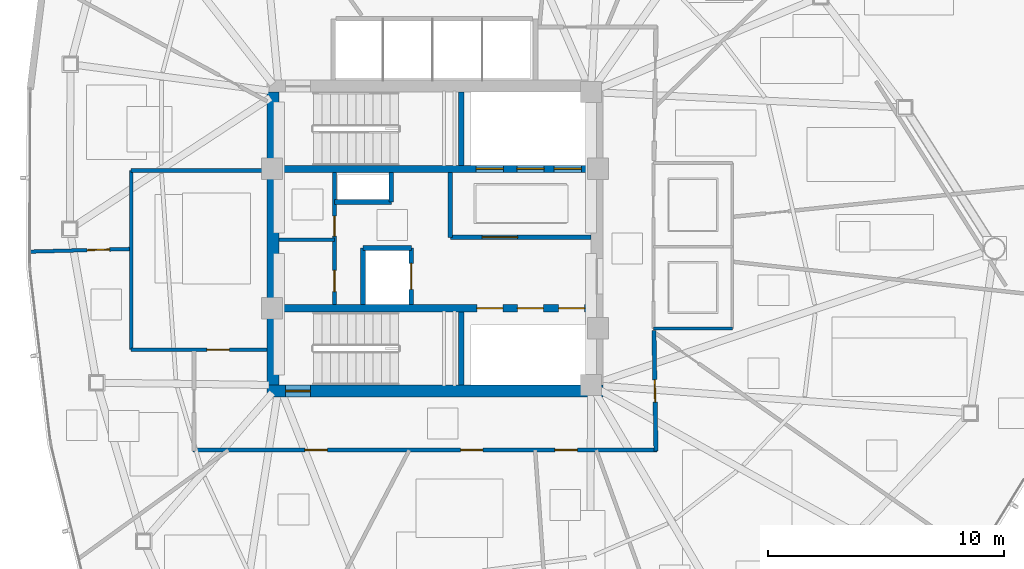
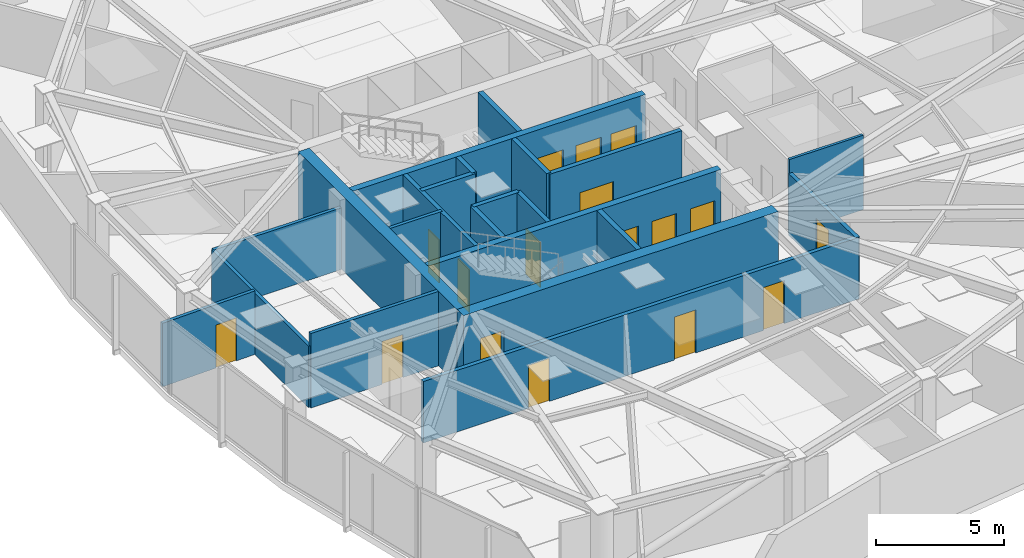
# One storey, part 12 of 18: 22 walls, 17 doors, 17 openings.
"""IFC4 building model written with IfcOpenShell, lengths in metres."""

from ifc_helpers import new_model, si_unit, direction, frame, frame_2d, origin, place, context, subcontext, project, spatial, rectangle, extrude, material, layer, layer_set, type_object, element, fill, save


model = new_model("IFC4")

# Units and contexts
model_context = context("Model", 3, precision=1e-05, world=origin(), true_north=direction((0.0, 1.0)))
body_context = subcontext(model_context, "Body", "Model", "MODEL_VIEW")
ifc_project = project(units=[si_unit("LENGTHUNIT", "METRE"), si_unit("AREAUNIT", "SQUARE_METRE"), si_unit("VOLUMEUNIT", "CUBIC_METRE"), si_unit("PLANEANGLEUNIT", "RADIAN"), si_unit("MASSUNIT", "GRAM", prefix="KILO")], contexts=[model_context])

# Site, building, storey
site_placement = place(None, origin())
site = spatial("IfcSite", under=ifc_project, at=site_placement, CompositionType="ELEMENT")
building_placement = place(site_placement, origin())
building = spatial("IfcBuilding", under=site, at=building_placement, Name="Tavelor Broadcast Tower", CompositionType="ELEMENT")
storey_placement = place(building_placement, frame((0.0, 0.0, 173.35009765625)))
storey = spatial("IfcBuildingStorey", under=building, at=storey_placement, Name="L41", CompositionType="ELEMENT", Elevation=173.35009765625)

# Wall, opening, door
ifc_material_1 = material(Name="Concrete C50/60", Category="concrete")
ifc_layer_1 = layer(ifc_material_1, 0.5)
ifc_layer_set_1 = layer_set([ifc_layer_1], Name="Concrete C50/60")
wall_type_1 = type_object("IfcWallType", Name="Core Shear Wall 500 mm", PredefinedType="SHEAR", material=ifc_layer_set_1)
wall_1_placement = place(storey_placement, frame((42.89990234375, 38.550048828125, 0.0), z_axis=(0.0, 0.0, 1.0), x_axis=(1.0, 0.0, 0.0)))
wall_1 = element("IfcWall", 1, at=wall_1_placement, inside=storey, type_object=wall_type_1, Name="L41 Central Core Shear Wall S", PredefinedType="SHEAR", context=body_context, shape_type="SweptSolid", body=[
    extrude(rectangle(XDim=14.2001953125, YDim=0.5, at=frame_2d((7.10009765625, 0.0))), origin(), (0.0, 0.0, 1.0), 3.5498046875),
])
opening_1_placement = place(wall_1_placement, frame((0.780029296875, 0.0, 0.0)))
opening_1 = element("IfcOpeningElement", 2, at=opening_1_placement, cuts=wall_1, Name="Opening DR11", PredefinedType="OPENING", context=body_context, shape_type="SweptSolid", body=[
    extrude(rectangle(XDim=1.050048828125, YDim=2.199951171875, at=frame_2d((0.52490234375, 1.10009765625))), frame((0.0, 0.260009765625, 0.0), z_axis=(0.0, -1.0, 0.0), x_axis=(1.0, 0.0, 0.0)), (0.0, 0.0, 1.0), 0.52001953125),
])
ifc_material_2 = material(Name="Steel S355", Category="steel")
door_type_1 = type_object("IfcDoorType", Name="Stair Core Fire Escape Door 1050x2200", OperationType="NOTDEFINED", PredefinedType="DOOR", material=ifc_material_2)
door_1_placement = place(opening_1_placement, origin())
door_1 = element("IfcDoor", 3, at=door_1_placement, inside=storey, type_object=door_type_1, Name="L41 Stair ST2 Protected Exit Door", OperationType="SINGLE_SWING_RIGHT", OverallHeight=2.199951171875, OverallWidth=1.050048828125, PredefinedType="DOOR", context=body_context, shape_type="SweptSolid", body=[
    extrude(rectangle(XDim=1.050048828125, YDim=2.199951171875, at=frame_2d((0.52490234375, 1.10009765625))), frame((0.0, 0.02490234375, 0.0), z_axis=(0.0, -1.0, 0.0), x_axis=(1.0, 0.0, 0.0)), (0.0, 0.0, 1.0), 0.050048828125),
])
fill(opening_1, door_1)

# Wall
wall_2_placement = place(storey_placement, frame((43.14990234375, 38.800048828125, 0.0), z_axis=(0.0, 0.0, 1.0), x_axis=(0.0, 1.0, 0.0)))
element("IfcWall", 4, at=wall_2_placement, inside=storey, type_object=wall_type_1, Name="L41 Central Core Shear Wall W", PredefinedType="SHEAR", context=body_context, shape_type="SweptSolid", body=[
    extrude(rectangle(XDim=12.39990234375, YDim=0.5, at=frame_2d((6.199951171875, 0.0))), origin(), (0.0, 0.0, 1.0), 3.5498046875),
])

# Wall, openings, doors
ifc_layer_2 = layer(ifc_material_1, 0.300048828125)
ifc_layer_set_2 = layer_set([ifc_layer_2], Name="Concrete C50/60")
wall_type_2 = type_object("IfcWallType", Name="Core Spine Shear Wall 300 mm C50", PredefinedType="SHEAR", material=ifc_layer_set_2)
wall_3_placement = place(storey_placement, frame((43.39990234375, 47.949951171875, 0.0), z_axis=(0.0, 0.0, 1.0), x_axis=(1.0, 0.0, 0.0)))
wall_3 = element("IfcWall", 5, at=wall_3_placement, inside=storey, type_object=wall_type_2, Name="L41 Central Core Shear Wall SP1", PredefinedType="SHEAR", context=body_context, shape_type="SweptSolid", body=[
    extrude(rectangle(XDim=13.2001953125, YDim=0.300048828125, at=frame_2d((6.60009765625, 0.0))), origin(), (0.0, 0.0, 1.0), 3.5498046875),
])
opening_2_placement = place(wall_3_placement, frame((8.344970703125, 0.0, 0.0)))
opening_2 = element("IfcOpeningElement", 6, at=opening_2_placement, cuts=wall_3, Name="Opening LD02", PredefinedType="OPENING", context=body_context, shape_type="SweptSolid", body=[
    extrude(rectangle(XDim=1.14990234375, YDim=2.199951171875, at=frame_2d((0.574951171875, 1.10009765625))), frame((0.0, 0.16015625, 0.0), z_axis=(0.0, -1.0, 0.0), x_axis=(1.0, 0.0, 0.0)), (0.0, 0.0, 1.0), 0.320068359375),
])
opening_3_placement = place(wall_3_placement, frame((10.06494140625, 0.0, 0.0)))
opening_3 = element("IfcOpeningElement", 7, at=opening_3_placement, cuts=wall_3, Name="Opening LD02", PredefinedType="OPENING", context=body_context, shape_type="SweptSolid", body=[
    extrude(rectangle(XDim=1.14990234375, YDim=2.199951171875, at=frame_2d((0.574951171875, 1.10009765625))), frame((0.0, 0.16015625, 0.0), z_axis=(0.0, -1.0, 0.0), x_axis=(1.0, 0.0, 0.0)), (0.0, 0.0, 1.0), 0.320068359375),
])
opening_4_placement = place(wall_3_placement, frame((11.64501953125, 0.0, 0.0)))
opening_4 = element("IfcOpeningElement", 8, at=opening_4_placement, cuts=wall_3, Name="Opening LD03", PredefinedType="OPENING", context=body_context, shape_type="SweptSolid", body=[
    extrude(rectangle(XDim=1.14990234375, YDim=2.199951171875, at=frame_2d((0.574951171875, 1.10009765625))), frame((0.0, 0.16015625, 0.0), z_axis=(0.0, -1.0, 0.0), x_axis=(1.0, 0.0, 0.0)), (0.0, 0.0, 1.0), 0.320068359375),
])
ifc_material_3 = material(Name="Reinforced Brushed Stainless Steel", Category="concrete")
door_type_2 = type_object("IfcDoorType", Name="Broadcast Goods Lift Sliding Landing Door 1250x2200", OperationType="NOTDEFINED", PredefinedType="DOOR", material=ifc_material_3)
door_2_placement = place(opening_4_placement, origin())
door_2 = element("IfcDoor", 9, at=door_2_placement, inside=storey, type_object=door_type_2, Name="L41 Lift SVL1 Sliding Landing Door", OperationType="SLIDING_TO_LEFT", OverallHeight=2.199951171875, OverallWidth=1.14990234375, PredefinedType="DOOR", context=body_context, shape_type="SweptSolid", body=[
    extrude(rectangle(XDim=1.14990234375, YDim=2.199951171875, at=frame_2d((0.574951171875, 1.10009765625))), frame((0.0, 0.02490234375, 0.0), z_axis=(0.0, -1.0, 0.0), x_axis=(1.0, 0.0, 0.0)), (0.0, 0.0, 1.0), 0.050048828125),
])
fill(opening_4, door_2)
ifc_material_4 = material(Name="Fire-Rated Stainless Steel", Category="steel")
door_type_3 = type_object("IfcDoorType", Name="Firefighting Lift Sliding Landing Door 1200x2200", OperationType="NOTDEFINED", PredefinedType="DOOR", material=ifc_material_4)
door_3_placement = place(opening_2_placement, origin())
door_3 = element("IfcDoor", 10, at=door_3_placement, inside=storey, type_object=door_type_3, Name="L41 Lift FFL1 Sliding Landing Door", OperationType="SLIDING_TO_LEFT", OverallHeight=2.199951171875, OverallWidth=1.14990234375, PredefinedType="DOOR", context=body_context, shape_type="SweptSolid", body=[
    extrude(rectangle(XDim=1.14990234375, YDim=2.199951171875, at=frame_2d((0.574951171875, 1.10009765625))), frame((0.0, 0.02490234375, 0.0), z_axis=(0.0, -1.0, 0.0), x_axis=(1.0, 0.0, 0.0)), (0.0, 0.0, 1.0), 0.050048828125),
])
fill(opening_2, door_3)
door_4_placement = place(opening_3_placement, origin())
door_4 = element("IfcDoor", 11, at=door_4_placement, inside=storey, type_object=door_type_3, Name="L41 Lift FFL2 Sliding Landing Door", OperationType="SLIDING_TO_LEFT", OverallHeight=2.199951171875, OverallWidth=1.14990234375, PredefinedType="DOOR", context=body_context, shape_type="SweptSolid", body=[
    extrude(rectangle(XDim=1.14990234375, YDim=2.199951171875, at=frame_2d((0.574951171875, 1.10009765625))), frame((0.0, 0.02490234375, 0.0), z_axis=(0.0, -1.0, 0.0), x_axis=(1.0, 0.0, 0.0)), (0.0, 0.0, 1.0), 0.050048828125),
])
fill(opening_3, door_4)

wall_4_placement = place(storey_placement, frame((43.39990234375, 42.050048828125, 0.0), z_axis=(0.0, 0.0, 1.0), x_axis=(1.0, 0.0, 0.0)))
wall_4 = element("IfcWall", 12, at=wall_4_placement, inside=storey, type_object=wall_type_2, Name="L41 Central Core Shear Wall SP2", PredefinedType="SHEAR", context=body_context, shape_type="SweptSolid", body=[
    extrude(rectangle(XDim=13.2001953125, YDim=0.300048828125, at=frame_2d((6.60009765625, 0.0))), origin(), (0.0, 0.0, 1.0), 3.5498046875),
])
opening_5_placement = place(wall_4_placement, frame((8.3701171875, 0.0, 0.0)))
opening_5 = element("IfcOpeningElement", 13, at=opening_5_placement, cuts=wall_4, Name="Opening LD01", PredefinedType="OPENING", context=body_context, shape_type="SweptSolid", body=[
    extrude(rectangle(XDim=1.10009765625, YDim=2.14990234375, at=frame_2d((0.550048828125, 1.074951171875))), frame((0.0, 0.16015625, 0.0), z_axis=(0.0, -1.0, 0.0), x_axis=(1.0, 0.0, 0.0)), (0.0, 0.0, 1.0), 0.320068359375),
])
opening_6_placement = place(wall_4_placement, frame((10.090087890625, 0.0, 0.0)))
opening_6 = element("IfcOpeningElement", 14, at=opening_6_placement, cuts=wall_4, Name="Opening LD01", PredefinedType="OPENING", context=body_context, shape_type="SweptSolid", body=[
    extrude(rectangle(XDim=1.10009765625, YDim=2.14990234375, at=frame_2d((0.550048828125, 1.074951171875))), frame((0.0, 0.16015625, 0.0), z_axis=(0.0, -1.0, 0.0), x_axis=(1.0, 0.0, 0.0)), (0.0, 0.0, 1.0), 0.320068359375),
])
opening_7_placement = place(wall_4_placement, frame((11.830078125, 0.0, 0.0)))
opening_7 = element("IfcOpeningElement", 15, at=opening_7_placement, cuts=wall_4, Name="Opening LD01", PredefinedType="OPENING", context=body_context, shape_type="SweptSolid", body=[
    extrude(rectangle(XDim=1.10009765625, YDim=2.14990234375, at=frame_2d((0.550048828125, 1.074951171875))), frame((0.0, 0.16015625, 0.0), z_axis=(0.0, -1.0, 0.0), x_axis=(1.0, 0.0, 0.0)), (0.0, 0.0, 1.0), 0.320068359375),
])
ifc_material_5 = material(Name="Brushed Stainless Steel", Category="steel")
door_type_4 = type_object("IfcDoorType", Name="Passenger Lift Sliding Landing Door 1100x2150", OperationType="NOTDEFINED", PredefinedType="DOOR", material=ifc_material_5)
door_5_placement = place(opening_5_placement, origin())
door_5 = element("IfcDoor", 16, at=door_5_placement, inside=storey, type_object=door_type_4, Name="L41 Lift PLM1 Sliding Landing Door", OperationType="SLIDING_TO_LEFT", OverallHeight=2.14990234375, OverallWidth=1.10009765625, PredefinedType="DOOR", context=body_context, shape_type="SweptSolid", body=[
    extrude(rectangle(XDim=1.10009765625, YDim=2.14990234375, at=frame_2d((0.550048828125, 1.074951171875))), frame((0.0, 0.02490234375, 0.0), z_axis=(0.0, -1.0, 0.0), x_axis=(1.0, 0.0, 0.0)), (0.0, 0.0, 1.0), 0.050048828125),
])
fill(opening_5, door_5)
door_6_placement = place(opening_6_placement, origin())
door_6 = element("IfcDoor", 17, at=door_6_placement, inside=storey, type_object=door_type_4, Name="L41 Lift PLM2 Sliding Landing Door", OperationType="SLIDING_TO_LEFT", OverallHeight=2.14990234375, OverallWidth=1.10009765625, PredefinedType="DOOR", context=body_context, shape_type="SweptSolid", body=[
    extrude(rectangle(XDim=1.10009765625, YDim=2.14990234375, at=frame_2d((0.550048828125, 1.074951171875))), frame((0.0, 0.02490234375, 0.0), z_axis=(0.0, -1.0, 0.0), x_axis=(1.0, 0.0, 0.0)), (0.0, 0.0, 1.0), 0.050048828125),
])
fill(opening_6, door_6)
door_7_placement = place(opening_7_placement, origin())
door_7 = element("IfcDoor", 18, at=door_7_placement, inside=storey, type_object=door_type_4, Name="L41 Lift PLM3 Sliding Landing Door", OperationType="SLIDING_TO_LEFT", OverallHeight=2.14990234375, OverallWidth=1.10009765625, PredefinedType="DOOR", context=body_context, shape_type="SweptSolid", body=[
    extrude(rectangle(XDim=1.10009765625, YDim=2.14990234375, at=frame_2d((0.550048828125, 1.074951171875))), frame((0.0, 0.02490234375, 0.0), z_axis=(0.0, -1.0, 0.0), x_axis=(1.0, 0.0, 0.0)), (0.0, 0.0, 1.0), 0.050048828125),
])
fill(opening_7, door_7)

ifc_material_6 = material(Name="Calcium Silicate Fire Board 180 mm", Category="gypsum")
ifc_layer_3 = layer(ifc_material_6, 0.179931640625)
ifc_layer_set_3 = layer_set([ifc_layer_3], Name="Calcium Silicate Fire Board 180 mm")
wall_type_3 = type_object("IfcWallType", Name="Fire-Rated Corridor Partition Wall 180 mm", PredefinedType="PARTITIONING", material=ifc_layer_set_3)
wall_5_placement = place(storey_placement, frame((45.75, 42.199951171875, 0.0), z_axis=(0.0, 0.0, 1.0), x_axis=(0.0, 1.0, 0.0)))
wall_5 = element("IfcWall", 19, at=wall_5_placement, inside=storey, type_object=wall_type_3, Name="L41 Core West Service East Wall", PredefinedType="PARTITIONING", context=body_context, shape_type="SweptSolid", body=[
    extrude(rectangle(XDim=5.60009765625, YDim=0.179931640625, at=frame_2d((2.800048828125, 0.0))), origin(), (0.0, 0.0, 1.0), 3.5498046875),
])
opening_8_placement = place(wall_5_placement, frame((0.550048828125, 0.0, 0.0)))
opening_8 = element("IfcOpeningElement", 20, at=opening_8_placement, cuts=wall_5, Name="Opening DR32", PredefinedType="OPENING", context=body_context, shape_type="SweptSolid", body=[
    extrude(rectangle(XDim=0.89990234375, YDim=2.050048828125, at=frame_2d((0.449951171875, 1.02490234375))), frame((0.0, 0.10009765625, 0.0), z_axis=(0.0, -1.0, 0.0), x_axis=(1.0, 0.0, 0.0)), (0.0, 0.0, 1.0), 0.199951171875),
])
opening_9_placement = place(wall_5_placement, frame((2.89990234375, 0.0, 0.0)))
opening_9 = element("IfcOpeningElement", 21, at=opening_9_placement, cuts=wall_5, Name="Opening DR36", PredefinedType="OPENING", context=body_context, shape_type="SweptSolid", body=[
    extrude(rectangle(XDim=0.85009765625, YDim=2.050048828125, at=frame_2d((0.425048828125, 1.02490234375))), frame((0.0, 0.10009765625, 0.0), z_axis=(0.0, -1.0, 0.0), x_axis=(1.0, 0.0, 0.0)), (0.0, 0.0, 1.0), 0.199951171875),
])
ifc_material_7 = material(Name="Timber Solid Core Hardwood", Category="wood")
door_type_5 = type_object("IfcDoorType", Name="Accessible Washroom Door 900x2050", OperationType="NOTDEFINED", PredefinedType="DOOR", material=ifc_material_7)
door_8_placement = place(opening_8_placement, origin())
door_8 = element("IfcDoor", 22, at=door_8_placement, inside=storey, type_object=door_type_5, Name="L41 Core Accessible WC Door", OperationType="SINGLE_SWING_LEFT", OverallHeight=2.050048828125, OverallWidth=0.89990234375, PredefinedType="DOOR", context=body_context, shape_type="SweptSolid", body=[
    extrude(rectangle(XDim=0.89990234375, YDim=2.050048828125, at=frame_2d((0.449951171875, 1.02490234375))), frame((0.0, 0.02490234375, 0.0), z_axis=(0.0, -1.0, 0.0), x_axis=(1.0, 0.0, 0.0)), (0.0, 0.0, 1.0), 0.050048828125),
])
fill(opening_8, door_8)
door_type_6 = type_object("IfcDoorType", Name="Service Room Fire Door 850x2050", OperationType="NOTDEFINED", PredefinedType="DOOR", material=ifc_material_2)
door_9_placement = place(opening_9_placement, origin())
door_9 = element("IfcDoor", 23, at=door_9_placement, inside=storey, type_object=door_type_6, Name="L41 Core Cleaner Store Door", OperationType="SINGLE_SWING_RIGHT", OverallHeight=2.050048828125, OverallWidth=0.85009765625, PredefinedType="DOOR", context=body_context, shape_type="SweptSolid", body=[
    extrude(rectangle(XDim=0.85009765625, YDim=2.050048828125, at=frame_2d((0.425048828125, 1.02490234375))), frame((0.0, 0.02490234375, 0.0), z_axis=(0.0, -1.0, 0.0), x_axis=(1.0, 0.0, 0.0)), (0.0, 0.0, 1.0), 0.050048828125),
])
fill(opening_9, door_9)

# Wall, opening, door
wall_6_placement = place(storey_placement, frame((59.265869140625, 41.10009765625, 0.0), z_axis=(0.0, 0.0, 1.0), x_axis=(0.016656377357, -0.999861272924, 0.0)))
wall_6 = element("IfcWall", 24, at=wall_6_placement, inside=storey, type_object=wall_type_3, Name="L41 Corridor Compartment Wall 03", PredefinedType="PARTITIONING", context=body_context, shape_type="SweptSolid", body=[
    extrude(rectangle(XDim=5.100830078125, YDim=0.179931640625, at=frame_2d((2.55029296875, 0.0))), origin(), (0.0, 0.0, 1.0), 2.934814453125),
])
opening_10_placement = place(wall_6_placement, frame((2.0751953125, 0.0, 0.0)))
opening_10 = element("IfcOpeningElement", 25, at=opening_10_placement, cuts=wall_6, Name="Opening DR18", PredefinedType="OPENING", context=body_context, shape_type="SweptSolid", body=[
    extrude(rectangle(XDim=0.949951171875, YDim=2.050048828125, at=frame_2d((0.47509765625, 1.02490234375))), frame((0.0, 0.10009765625, 0.0), z_axis=(0.0, -1.0, 0.0), x_axis=(1.0, 0.0, 0.0)), (0.0, 0.0, 1.0), 0.199951171875),
])
door_type_7 = type_object("IfcDoorType", Name="Corridor Rated Compartment Door 950x2050", OperationType="NOTDEFINED", PredefinedType="DOOR", material=ifc_material_7)
door_10_placement = place(opening_10_placement, origin())
door_10 = element("IfcDoor", 26, at=door_10_placement, inside=storey, type_object=door_type_7, Name="L41 Syndication Legal Office Door R0", OperationType="SINGLE_SWING_LEFT", OverallHeight=2.050048828125, OverallWidth=0.949951171875, PredefinedType="DOOR", context=body_context, shape_type="SweptSolid", body=[
    extrude(rectangle(XDim=0.949951171875, YDim=2.050048828125, at=frame_2d((0.47509765625, 1.02490234375))), frame((0.0, 0.02490234375, 0.0), z_axis=(0.0, -1.0, 0.0), x_axis=(1.0, 0.0, 0.0)), (0.0, 0.0, 1.0), 0.050048828125),
])
fill(opening_10, door_10)

# Wall, openings, doors
wall_7_placement = place(storey_placement, frame((59.39990234375, 36.050048828125, 0.0), z_axis=(0.0, 0.0, 1.0), x_axis=(-1.0, 0.0, 0.0)))
wall_7 = element("IfcWall", 27, at=wall_7_placement, inside=storey, type_object=wall_type_3, Name="L41 Corridor Compartment Wall 04", PredefinedType="PARTITIONING", context=body_context, shape_type="SweptSolid", body=[
    extrude(rectangle(XDim=19.64990234375, YDim=0.179931640625, at=frame_2d((9.824951171875, 0.0))), origin(), (0.0, 0.0, 1.0), 2.934814453125),
])
opening_11_placement = place(wall_7_placement, frame((3.373779296875, 0.0, 0.0)))
opening_11 = element("IfcOpeningElement", 28, at=opening_11_placement, cuts=wall_7, Name="Opening DR18", PredefinedType="OPENING", context=body_context, shape_type="SweptSolid", body=[
    extrude(rectangle(XDim=0.949951171875, YDim=2.050048828125, at=frame_2d((0.47509765625, 1.02490234375))), frame((0.0, 0.10009765625, 0.0), z_axis=(0.0, -1.0, 0.0), x_axis=(1.0, 0.0, 0.0)), (0.0, 0.0, 1.0), 0.199951171875),
])
opening_12_placement = place(wall_7_placement, frame((7.369384765625, 0.0, 0.0)))
opening_12 = element("IfcOpeningElement", 29, at=opening_12_placement, cuts=wall_7, Name="Opening DR18", PredefinedType="OPENING", context=body_context, shape_type="SweptSolid", body=[
    extrude(rectangle(XDim=0.949951171875, YDim=2.050048828125, at=frame_2d((0.47509765625, 1.02490234375))), frame((0.0, 0.10009765625, 0.0), z_axis=(0.0, -1.0, 0.0), x_axis=(1.0, 0.0, 0.0)), (0.0, 0.0, 1.0), 0.199951171875),
])
opening_13_placement = place(wall_7_placement, frame((13.95703125, 0.0, 0.0)))
opening_13 = element("IfcOpeningElement", 30, at=opening_13_placement, cuts=wall_7, Name="Opening DR18", PredefinedType="OPENING", context=body_context, shape_type="SweptSolid", body=[
    extrude(rectangle(XDim=0.949951171875, YDim=2.050048828125, at=frame_2d((0.47509765625, 1.02490234375))), frame((0.0, 0.10009765625, 0.0), z_axis=(0.0, -1.0, 0.0), x_axis=(1.0, 0.0, 0.0)), (0.0, 0.0, 1.0), 0.199951171875),
])
door_11_placement = place(opening_11_placement, origin())
door_11 = element("IfcDoor", 31, at=door_11_placement, inside=storey, type_object=door_type_7, Name="L41 Colour Grading Studio Door R13", OperationType="SINGLE_SWING_RIGHT", OverallHeight=2.050048828125, OverallWidth=0.949951171875, PredefinedType="DOOR", context=body_context, shape_type="SweptSolid", body=[
    extrude(rectangle(XDim=0.949951171875, YDim=2.050048828125, at=frame_2d((0.47509765625, 1.02490234375))), frame((0.0, 0.02490234375, 0.0), z_axis=(0.0, -1.0, 0.0), x_axis=(1.0, 0.0, 0.0)), (0.0, 0.0, 1.0), 0.050048828125),
])
fill(opening_11, door_11)
door_12_placement = place(opening_12_placement, origin())
door_12 = element("IfcDoor", 32, at=door_12_placement, inside=storey, type_object=door_type_7, Name="L41 Documentary Planning Office Door R2", OperationType="SINGLE_SWING_LEFT", OverallHeight=2.050048828125, OverallWidth=0.949951171875, PredefinedType="DOOR", context=body_context, shape_type="SweptSolid", body=[
    extrude(rectangle(XDim=0.949951171875, YDim=2.050048828125, at=frame_2d((0.47509765625, 1.02490234375))), frame((0.0, 0.02490234375, 0.0), z_axis=(0.0, -1.0, 0.0), x_axis=(1.0, 0.0, 0.0)), (0.0, 0.0, 1.0), 0.050048828125),
])
fill(opening_12, door_12)
door_13_placement = place(opening_13_placement, origin())
door_13 = element("IfcDoor", 33, at=door_13_placement, inside=storey, type_object=door_type_7, Name="L41 Digital Publishing Workspace Door R3", OperationType="SINGLE_SWING_RIGHT", OverallHeight=2.050048828125, OverallWidth=0.949951171875, PredefinedType="DOOR", context=body_context, shape_type="SweptSolid", body=[
    extrude(rectangle(XDim=0.949951171875, YDim=2.050048828125, at=frame_2d((0.47509765625, 1.02490234375))), frame((0.0, 0.02490234375, 0.0), z_axis=(0.0, -1.0, 0.0), x_axis=(1.0, 0.0, 0.0)), (0.0, 0.0, 1.0), 0.050048828125),
])
fill(opening_13, door_13)

# Wall
ifc_material_8 = material(Name="Gypsum Acoustic Plasterboard 150 mm", Category="gypsum")
ifc_layer_4 = layer(ifc_material_8, 0.14990234375)
ifc_layer_set_4 = layer_set([ifc_layer_4], Name="Gypsum Acoustic Plasterboard 150 mm")
wall_type_4 = type_object("IfcWallType", Name="Interior Acoustic Partition Wall 150 mm", PredefinedType="PARTITIONING", material=ifc_layer_set_4)
wall_8_placement = place(storey_placement, frame((43.39990234375, 44.949951171875, 0.0), z_axis=(0.0, 0.0, 1.0), x_axis=(1.0, 0.0, 0.0)))
element("IfcWall", 34, at=wall_8_placement, inside=storey, type_object=wall_type_4, Name="L41 Core Split Wall A", PredefinedType="PARTITIONING", context=body_context, shape_type="SweptSolid", body=[
    extrude(rectangle(XDim=2.35009765625, YDim=0.14990234375, at=frame_2d((1.175048828125, 0.0))), origin(), (0.0, 0.0, 1.0), 3.5498046875),
])

# Wall, opening, door
wall_9_placement = place(storey_placement, frame((37.139892578125, 40.300048828125, 0.0), z_axis=(0.0, 0.0, 1.0), x_axis=(1.0, 0.0, 0.0)))
wall_9 = element("IfcWall", 35, at=wall_9_placement, inside=storey, type_object=wall_type_4, Name="L41 Reclaimed Shaft Pantry South Wall", PredefinedType="PARTITIONING", context=body_context, shape_type="SweptSolid", body=[
    extrude(rectangle(XDim=5.760009765625, YDim=0.14990234375, at=frame_2d((2.8798828125, 0.0))), origin(), (0.0, 0.0, 1.0), 3.5498046875),
])
opening_14_placement = place(wall_9_placement, frame((3.2099609375, 0.0, 0.0)))
opening_14 = element("IfcOpeningElement", 36, at=opening_14_placement, cuts=wall_9, Name="Opening DR18", PredefinedType="OPENING", context=body_context, shape_type="SweptSolid", body=[
    extrude(rectangle(XDim=0.949951171875, YDim=2.050048828125, at=frame_2d((0.47509765625, 1.02490234375))), frame((0.0, 0.0849609375, 0.0), z_axis=(0.0, -1.0, 0.0), x_axis=(1.0, 0.0, 0.0)), (0.0, 0.0, 1.0), 0.169921875),
])
door_14_placement = place(opening_14_placement, origin())
door_14 = element("IfcDoor", 37, at=door_14_placement, inside=storey, type_object=door_type_7, Name="L41 Broadcast IT Patch and Pantry Door", OperationType="SINGLE_SWING_LEFT", OverallHeight=2.050048828125, OverallWidth=0.949951171875, PredefinedType="DOOR", context=body_context, shape_type="SweptSolid", body=[
    extrude(rectangle(XDim=0.949951171875, YDim=2.050048828125, at=frame_2d((0.47509765625, 1.02490234375))), frame((0.0, 0.02490234375, 0.0), z_axis=(0.0, -1.0, 0.0), x_axis=(1.0, 0.0, 0.0)), (0.0, 0.0, 1.0), 0.050048828125),
])
fill(opening_14, door_14)

# Walls
wall_10_placement = place(storey_placement, frame((37.139892578125, 40.300048828125, 0.0), z_axis=(0.0, 0.0, 1.0), x_axis=(0.0, 1.0, 0.0)))
element("IfcWall", 38, at=wall_10_placement, inside=storey, type_object=wall_type_4, Name="L41 Reclaimed Shaft Pantry West Wall", PredefinedType="PARTITIONING", context=body_context, shape_type="SweptSolid", body=[
    extrude(rectangle(XDim=7.579833984375, YDim=0.14990234375, at=frame_2d((3.7900390625, 0.0))), origin(), (0.0, 0.0, 1.0), 2.934814453125),
])
wall_11_placement = place(storey_placement, frame((37.139892578125, 47.8798828125, 0.0), z_axis=(0.0, 0.0, 1.0), x_axis=(1.0, 0.0, 0.0)))
element("IfcWall", 39, at=wall_11_placement, inside=storey, type_object=wall_type_4, Name="L41 Reclaimed Shaft Pantry North Wall", PredefinedType="PARTITIONING", context=body_context, shape_type="SweptSolid", body=[
    extrude(rectangle(XDim=5.760009765625, YDim=0.14990234375, at=frame_2d((2.8798828125, 0.0))), origin(), (0.0, 0.0, 1.0), 2.934814453125),
])

# Wall, opening, door
wall_12_placement = place(storey_placement, frame((37.080078125, 44.558837890625, 0.0), z_axis=(0.0, 0.0, 1.0), x_axis=(-0.999644695323, -0.026654889077, 0.0)))
wall_12 = element("IfcWall", 40, at=wall_12_placement, inside=storey, type_object=wall_type_4, Name="L41 Radial Compartment Wall 02", PredefinedType="PARTITIONING", context=body_context, shape_type="SweptSolid", body=[
    extrude(rectangle(XDim=4.24072265625, YDim=0.14990234375, at=frame_2d((2.120361328125, 0.0))), origin(), (0.0, 0.0, 1.0), 3.02490234375),
])
opening_15_placement = place(wall_12_placement, frame((0.85009765625, 0.0, 0.0)))
opening_15 = element("IfcOpeningElement", 41, at=opening_15_placement, cuts=wall_12, Name="Opening DR18", PredefinedType="OPENING", context=body_context, shape_type="SweptSolid", body=[
    extrude(rectangle(XDim=0.949951171875, YDim=2.050048828125, at=frame_2d((0.47509765625, 1.02490234375))), frame((0.0, 0.0849609375, 0.0), z_axis=(0.0, -1.0, 0.0), x_axis=(1.0, 0.0, 0.0)), (0.0, 0.0, 1.0), 0.169921875),
])
door_15_placement = place(opening_15_placement, origin())
door_15 = element("IfcDoor", 42, at=door_15_placement, inside=storey, type_object=door_type_7, Name="L41 Suite Connecting Door 5", OperationType="SINGLE_SWING_RIGHT", OverallHeight=2.050048828125, OverallWidth=0.949951171875, PredefinedType="DOOR", context=body_context, shape_type="SweptSolid", body=[
    extrude(rectangle(XDim=0.949951171875, YDim=2.050048828125, at=frame_2d((0.47509765625, 1.02490234375))), frame((0.0, 0.02490234375, 0.0), z_axis=(0.0, -1.0, 0.0), x_axis=(1.0, 0.0, 0.0)), (0.0, 0.0, 1.0), 0.050048828125),
])
fill(opening_15, door_15)

ifc_material_9 = material(Name="Concrete Blockwork 200 mm", Category="masonry")
ifc_layer_5 = layer(ifc_material_9, 0.199951171875)
ifc_layer_set_5 = layer_set([ifc_layer_5], Name="Concrete Blockwork 200 mm")
wall_type_5 = type_object("IfcWallType", Name="Lift Hoistway Rated Front Wall 200 mm", PredefinedType="PARTITIONING", material=ifc_layer_set_5)
wall_13_placement = place(storey_placement, frame((49.0, 42.199951171875, 0.0), z_axis=(0.0, 0.0, 1.0), x_axis=(0.0, 1.0, 0.0)))
wall_13 = element("IfcWall", 43, at=wall_13_placement, inside=storey, type_object=wall_type_5, Name="L41 Mid-Rise Lift PLM4 Hoistway Front Wall", PredefinedType="PARTITIONING", context=body_context, shape_type="SweptSolid", body=[
    extrude(rectangle(XDim=2.400146484375, YDim=0.199951171875, at=frame_2d((1.2001953125, 0.0))), origin(), (0.0, 0.0, 1.0), 3.5498046875),
])
opening_16_placement = place(wall_13_placement, frame((0.64990234375, 0.0, 0.0)))
opening_16 = element("IfcOpeningElement", 44, at=opening_16_placement, cuts=wall_13, Name="Opening LD01", PredefinedType="OPENING", context=body_context, shape_type="SweptSolid", body=[
    extrude(rectangle(XDim=1.10009765625, YDim=2.14990234375, at=frame_2d((0.550048828125, 1.074951171875))), frame((0.0, 0.10986328125, 0.0), z_axis=(0.0, -1.0, 0.0), x_axis=(1.0, 0.0, 0.0)), (0.0, 0.0, 1.0), 0.219970703125),
])
door_16_placement = place(opening_16_placement, origin())
door_16 = element("IfcDoor", 45, at=door_16_placement, inside=storey, type_object=door_type_4, Name="L41 Lift PLM4 Sliding Landing Door", OperationType="SLIDING_TO_RIGHT", OverallHeight=2.14990234375, OverallWidth=1.10009765625, PredefinedType="DOOR", context=body_context, shape_type="SweptSolid", body=[
    extrude(rectangle(XDim=1.10009765625, YDim=2.14990234375, at=frame_2d((0.550048828125, 1.074951171875))), frame((0.0, 0.02490234375, 0.0), z_axis=(0.0, -1.0, 0.0), x_axis=(1.0, 0.0, 0.0)), (0.0, 0.0, 1.0), 0.050048828125),
])
fill(opening_16, door_16)

# Walls
ifc_layer_6 = layer(ifc_material_9, 0.199951171875)
ifc_layer_set_6 = layer_set([ifc_layer_6], Name="Concrete Blockwork 200 mm")
wall_type_6 = type_object("IfcWallType", Name="Lift and Riser Shaft Enclosure Wall 200 mm", PredefinedType="PARTITIONING", material=ifc_layer_set_6)
wall_14_placement = place(storey_placement, frame((45.75, 46.550048828125, 0.0), z_axis=(0.0, 0.0, 1.0), x_axis=(1.0, 0.0, 0.0)))
element("IfcWall", 46, at=wall_14_placement, inside=storey, type_object=wall_type_6, Name="L41 Riser Shaft South Wall", PredefinedType="PARTITIONING", context=body_context, shape_type="SweptSolid", body=[
    extrude(rectangle(XDim=2.39990234375, YDim=0.199951171875, at=frame_2d((1.199951171875, 0.0))), origin(), (0.0, 0.0, 1.0), 3.5498046875),
])
wall_15_placement = place(storey_placement, frame((48.14990234375, 46.550048828125, 0.0), z_axis=(0.0, 0.0, 1.0), x_axis=(0.0, 1.0, 0.0)))
element("IfcWall", 47, at=wall_15_placement, inside=storey, type_object=wall_type_6, Name="L41 Riser Shaft East Wall", PredefinedType="PARTITIONING", context=body_context, shape_type="SweptSolid", body=[
    extrude(rectangle(XDim=1.25, YDim=0.199951171875, at=frame_2d((0.625, 0.0))), origin(), (0.0, 0.0, 1.0), 3.5498046875),
])
wall_16_placement = place(storey_placement, frame((46.949951171875, 42.199951171875, 0.0), z_axis=(0.0, 0.0, 1.0), x_axis=(0.0, 1.0, 0.0)))
element("IfcWall", 48, at=wall_16_placement, inside=storey, type_object=wall_type_6, Name="L41 Mid-Rise Lift PLM4 West Wall", PredefinedType="PARTITIONING", context=body_context, shape_type="SweptSolid", body=[
    extrude(rectangle(XDim=2.400146484375, YDim=0.199951171875, at=frame_2d((1.2001953125, 0.0))), origin(), (0.0, 0.0, 1.0), 3.5498046875),
])
wall_17_placement = place(storey_placement, frame((46.949951171875, 44.60009765625, 0.0), z_axis=(0.0, 0.0, 1.0), x_axis=(1.0, 0.0, 0.0)))
element("IfcWall", 49, at=wall_17_placement, inside=storey, type_object=wall_type_6, Name="L41 Mid-Rise Lift PLM4 North Wall", PredefinedType="PARTITIONING", context=body_context, shape_type="SweptSolid", body=[
    extrude(rectangle(XDim=2.050048828125, YDim=0.199951171875, at=frame_2d((1.02490234375, 0.0))), origin(), (0.0, 0.0, 1.0), 3.5498046875),
])

# Wall, opening, door
wall_18_placement = place(storey_placement, frame((50.64990234375, 45.050048828125, 0.0), z_axis=(0.0, 0.0, 1.0), x_axis=(1.0, 0.0, 0.0)))
wall_18 = element("IfcWall", 50, at=wall_18_placement, inside=storey, type_object=wall_type_6, Name="L41 Firefighting Lobby South Wall", PredefinedType="PARTITIONING", context=body_context, shape_type="SweptSolid", body=[
    extrude(rectangle(XDim=5.9501953125, YDim=0.199951171875, at=frame_2d((2.97509765625, 0.0))), origin(), (0.0, 0.0, 1.0), 3.5498046875),
])
opening_17_placement = place(wall_18_placement, frame((1.35009765625, 0.0, 0.0)))
opening_17 = element("IfcOpeningElement", 51, at=opening_17_placement, cuts=wall_18, Name="Opening DR14", PredefinedType="OPENING", context=body_context, shape_type="SweptSolid", body=[
    extrude(rectangle(XDim=1.5, YDim=2.199951171875, at=frame_2d((0.75, 1.10009765625))), frame((0.0, 0.10986328125, 0.0), z_axis=(0.0, -1.0, 0.0), x_axis=(1.0, 0.0, 0.0)), (0.0, 0.0, 1.0), 0.219970703125),
])
door_type_8 = type_object("IfcDoorType", Name="Firefighting Lobby Double Fire Door 1500x2200", OperationType="NOTDEFINED", PredefinedType="DOOR", material=ifc_material_2)
door_17_placement = place(opening_17_placement, origin())
door_17 = element("IfcDoor", 52, at=door_17_placement, inside=storey, type_object=door_type_8, Name="L41 Firefighting Lobby Compartment Door", OperationType="SINGLE_SWING_LEFT", OverallHeight=2.199951171875, OverallWidth=1.5, PredefinedType="DOOR", context=body_context, shape_type="SweptSolid", body=[
    extrude(rectangle(XDim=1.5, YDim=2.199951171875, at=frame_2d((0.75, 1.10009765625))), frame((0.0, 0.02490234375, 0.0), z_axis=(0.0, -1.0, 0.0), x_axis=(1.0, 0.0, 0.0)), (0.0, 0.0, 1.0), 0.050048828125),
])
fill(opening_17, door_17)

# Walls
wall_19_placement = place(storey_placement, frame((50.64990234375, 45.050048828125, 0.0), z_axis=(0.0, 0.0, 1.0), x_axis=(0.0, 1.0, 0.0)))
element("IfcWall", 53, at=wall_19_placement, inside=storey, type_object=wall_type_6, Name="L41 Firefighting Lobby West Wall", PredefinedType="PARTITIONING", context=body_context, shape_type="SweptSolid", body=[
    extrude(rectangle(XDim=2.75, YDim=0.199951171875, at=frame_2d((1.375, 0.0))), origin(), (0.0, 0.0, 1.0), 3.5498046875),
])
ifc_material_10 = material(Name="Moisture-Resistant Plasterboard 120 mm", Category="gypsum")
ifc_layer_7 = layer(ifc_material_10, 0.1201171875)
ifc_layer_set_7 = layer_set([ifc_layer_7], Name="Moisture-Resistant Plasterboard 120 mm")
wall_type_7 = type_object("IfcWallType", Name="Moisture-Resistant Wet-Room Partition 120 mm", PredefinedType="PARTITIONING", material=ifc_layer_set_7)
wall_20_placement = place(storey_placement, frame((59.239990234375, 41.199951171875, 0.0), z_axis=(0.0, 0.0, 1.0), x_axis=(1.0, 0.0, 0.0)))
element("IfcWall", 54, at=wall_20_placement, inside=storey, type_object=wall_type_7, Name="L41 Floor Washrooms South Wall", PredefinedType="PARTITIONING", context=body_context, shape_type="SweptSolid", body=[
    extrude(rectangle(XDim=3.340087890625, YDim=0.1201171875, at=frame_2d((1.669921875, 0.0))), origin(), (0.0, 0.0, 1.0), 3.5498046875),
])
ifc_material_11 = material(Name="Concrete C40/50", Category="concrete")
ifc_layer_8 = layer(ifc_material_11, 0.219970703125)
ifc_layer_set_8 = layer_set([ifc_layer_8], Name="Concrete C40/50")
wall_type_8 = type_object("IfcWallType", Name="Structural Stairwell Shear Wall 220 mm", PredefinedType="SHEAR", material=ifc_layer_set_8)
for number, where, z_axis, x_axis, name in (
    (55, (51.110107421875, 48.10009765625, 0.0), (0.0, 0.0, 1.0), (0.0, 1.0, 0.0), "L41 Stair ST1 Structural Shaft Wall"),
    (56, (51.110107421875, 38.800048828125, 0.0), (0.0, 0.0, 1.0), (0.0, 1.0, 0.0), "L41 Stair ST2 Structural Shaft Wall"),
):
    element("IfcWall", number, at=place(storey_placement, frame(where, z_axis=z_axis, x_axis=x_axis)), inside=storey, type_object=wall_type_8, Name=name, PredefinedType="SHEAR", context=body_context, shape_type="SweptSolid", body=[
        extrude(rectangle(XDim=3.099853515625, YDim=0.219970703125, at=frame_2d((1.5498046875, 0.0))), origin(), (0.0, 0.0, 1.0), 3.5498046875),
    ])

save(model, "model.ifc")
